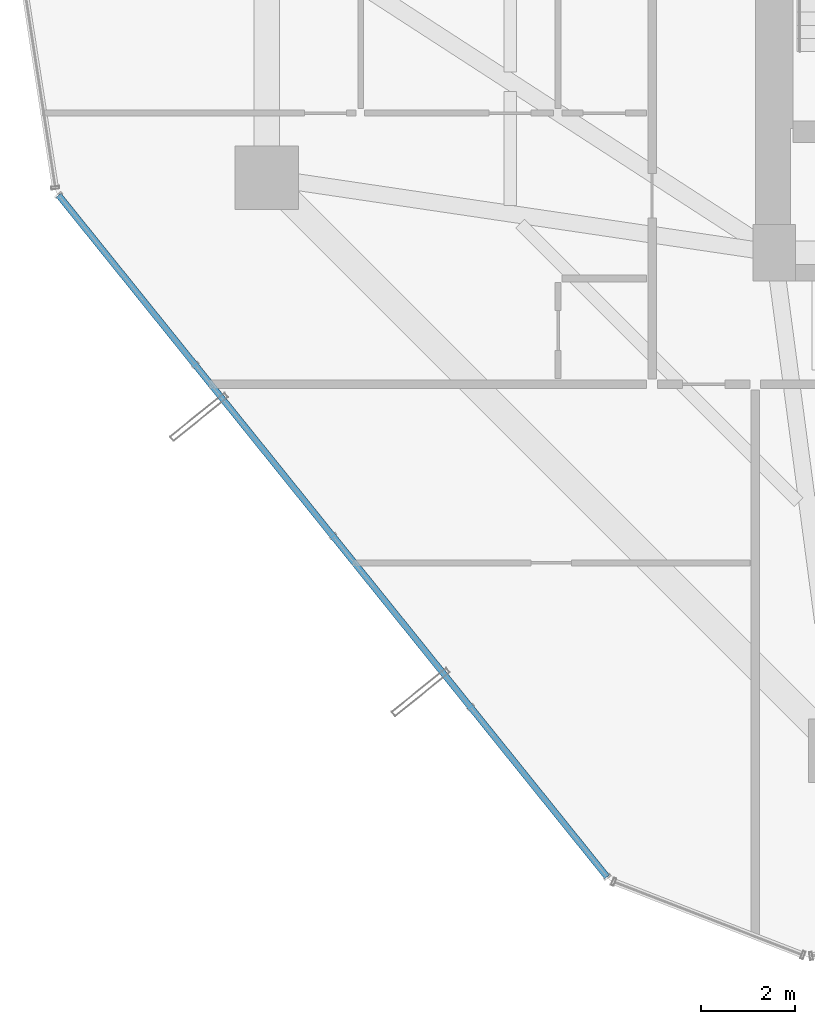
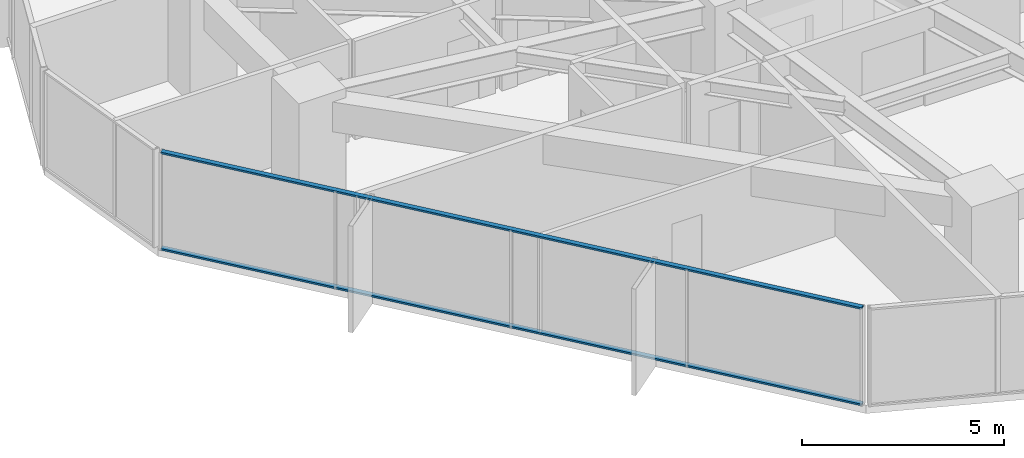
# One storey, part 3 of 37: 2 members, 1 element without a shape of its own.
"""IFC4 building model written with IfcOpenShell, lengths in metres."""

from ifc_helpers import new_model, si_unit, direction, frame, origin, origin_2d, place, context, subcontext, project, spatial, hollow_rectangle, extrude, source, transform, mapped, material, layer, layer_set, material_profile, profile_set, type_object, element, aggregate, save


model = new_model("IFC4")

# Units and contexts
model_context = context("Model", 3, precision=1e-05, world=origin(), true_north=direction((0.0, 1.0)))
body_context = subcontext(model_context, "Body", "Model", "MODEL_VIEW")
ifc_project = project(units=[si_unit("LENGTHUNIT", "METRE"), si_unit("AREAUNIT", "SQUARE_METRE"), si_unit("VOLUMEUNIT", "CUBIC_METRE"), si_unit("PLANEANGLEUNIT", "RADIAN"), si_unit("MASSUNIT", "GRAM", prefix="KILO")], contexts=[model_context])

# Site, building, storey
site_placement = place(None, origin())
site = spatial("IfcSite", under=ifc_project, at=site_placement, CompositionType="ELEMENT")
building_placement = place(site_placement, origin())
building = spatial("IfcBuilding", under=site, at=building_placement, Name="Veraguas Prism Commons", CompositionType="ELEMENT")
storey_placement = place(building_placement, frame((0.0, 0.0, 53.300048828125)))
storey = spatial("IfcBuildingStorey", under=building, at=storey_placement, Name="L14", CompositionType="ELEMENT", Elevation=53.300048828125)

# Curtain wall, members
ifc_material = material(Name="Anodised aluminium EN AW-6063 T6", Category="aluminium")
ifc_layer = layer(ifc_material, 0.169921875, Name="Unitised Flush Curtain Wall Zone 1", Category="aluminium")
ifc_layer_set = layer_set([ifc_layer], Name="Anodised aluminium EN AW-6063 T6")
curtain_wall_type = type_object("IfcCurtainWallType", Name="Unitised Flush Curtain Wall Zone 1", PredefinedType="NOTDEFINED", material=ifc_layer_set)
curtain_wall_placement = place(storey_placement, origin())
curtain_wall = element("IfcCurtainWall", 1, at=curtain_wall_placement, inside=storey, type_object=curtain_wall_type, Name="Tower Facade Curtain Wall L14-F4", PredefinedType="NOTDEFINED")
ifc_material_profile = material_profile(ifc_material, hollow_rectangle(XDim=0.054931640625, YDim=0.135009765625, WallThickness=0.0029296875, at=origin_2d()), Name="AL55X135X3")
ifc_profile_set = profile_set([ifc_material_profile], Name="Anodised aluminium EN AW-6063 T6")
member_type = type_object("IfcMemberType", Name="Curtain Wall Transom Standard AL 55x135x3", PredefinedType="USERDEFINED", material=ifc_profile_set)
shared_shape = source(origin(), body_context, "Body", "SweptSolid", [
    extrude(hollow_rectangle(XDim=0.054931640625, YDim=0.135009765625, WallThickness=0.0029296875, at=origin_2d()), origin(), (0.0, 0.0, 1.0), 18.623779296875),
])
member_1_placement = place(storey_placement, frame((1.968994140625, 18.225830078125, 0.02734375), z_axis=(0.626873184897, -0.779121306381, 0.0), x_axis=(0.0, 0.0, 1.0)))
member_1 = element("IfcMember", 2, at=member_1_placement, type_object=member_type, Name="CW-Z1 Transom 1", ObjectType="TRANSOM", PredefinedType="USERDEFINED", context=body_context, shape_type="MappedRepresentation", body=[
    mapped(shared_shape, transform((0.0, 0.0, 0.0), scale=1.0)),
])
member_2_placement = place(storey_placement, frame((1.968994140625, 18.225830078125, 2.9423828125), z_axis=(0.626873184897, -0.779121306381, 0.0), x_axis=(0.0, 0.0, 1.0)))
member_2 = element("IfcMember", 3, at=member_2_placement, type_object=member_type, Name="CW-Z1 Transom 2", ObjectType="TRANSOM", PredefinedType="USERDEFINED", context=body_context, shape_type="MappedRepresentation", body=[
    mapped(shared_shape, transform((0.0, 0.0, 0.0), scale=1.0)),
])
aggregate(curtain_wall, [member_1, member_2])

save(model, "model.ifc")
